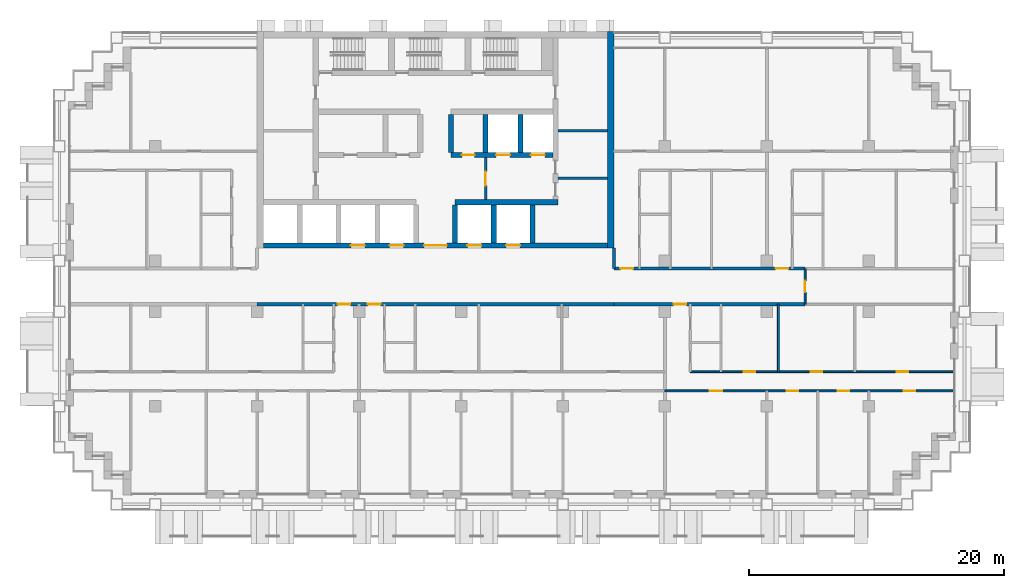
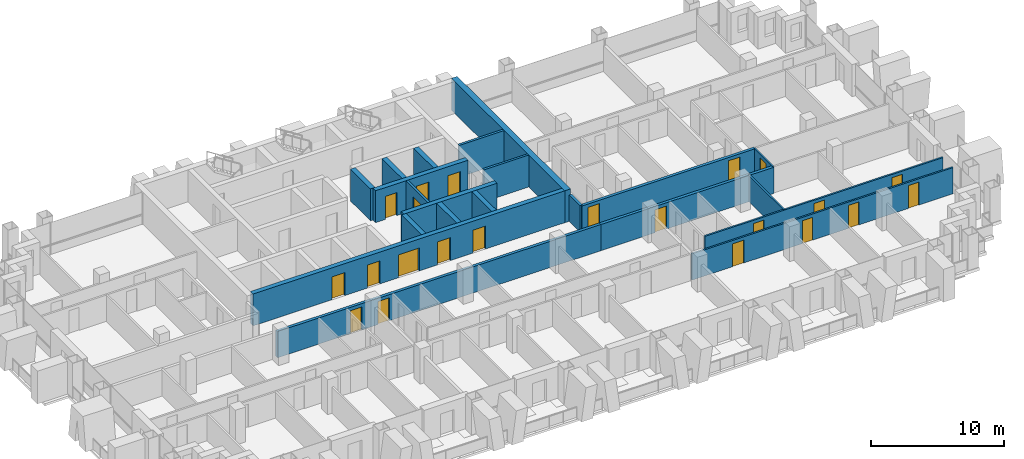
# One storey, part 11 of 19: 22 doors, 21 walls, 22 openings.
"""IFC4 building model written with IfcOpenShell, lengths in metres."""

from ifc_helpers import new_model, si_unit, direction, frame, frame_2d, origin, place, context, subcontext, project, spatial, rectangle, extrude, material, layer, layer_set, type_object, element, fill, save


model = new_model("IFC4")

# Units and contexts
model_context = context("Model", 3, precision=1e-05, world=origin(), true_north=direction((0.0, 1.0)))
body_context = subcontext(model_context, "Body", "Model", "MODEL_VIEW")
ifc_project = project(units=[si_unit("LENGTHUNIT", "METRE"), si_unit("AREAUNIT", "SQUARE_METRE"), si_unit("VOLUMEUNIT", "CUBIC_METRE"), si_unit("PLANEANGLEUNIT", "RADIAN"), si_unit("MASSUNIT", "GRAM", prefix="KILO")], contexts=[model_context])

# Site, building, storey
site_placement = place(None, origin())
site = spatial("IfcSite", under=ifc_project, at=site_placement, CompositionType="ELEMENT")
building_placement = place(site_placement, origin())
building = spatial("IfcBuilding", under=site, at=building_placement, Name="Vidyagriha Tower", CompositionType="ELEMENT")
storey_placement = place(building_placement, frame((0.0, 0.0, 99.89990234375)))
storey = spatial("IfcBuildingStorey", under=building, at=storey_placement, Name="L26", CompositionType="ELEMENT", Elevation=99.89990234375)

# Wall, openings, doors
ifc_material_1 = material(Name="Concrete C60/75", Category="concrete")
ifc_layer_1 = layer(ifc_material_1, 0.39990234375)
ifc_layer_set_1 = layer_set([ifc_layer_1], Name="Concrete C60/75")
wall_type_1 = type_object("IfcWallType", Name="Core shear wall 400 mm", PredefinedType="SHEAR", material=ifc_layer_set_1)
wall_1_placement = place(storey_placement, frame((-13.5, 3.199951171875, 0.0)))
wall_1 = element("IfcWall", 1, at=wall_1_placement, inside=storey, type_object=wall_type_1, Name="Core front wall", PredefinedType="SHEAR", context=body_context, shape_type="SweptSolid", body=[
    extrude(rectangle(XDim=27.0, YDim=0.39990234375, at=frame_2d((13.5, 0.0))), origin(), (0.0, 0.0, 1.0), 2.920166015625),
])
opening_1_placement = place(wall_1_placement, frame((6.861083984375, 0.0, 0.0)))
opening_1 = element("IfcOpeningElement", 2, at=opening_1_placement, cuts=wall_1, Name="Opening LD26-01", PredefinedType="OPENING", context=body_context, shape_type="SweptSolid", body=[
    extrude(rectangle(XDim=1.10009765625, YDim=2.10009765625, at=frame_2d((0.550048828125, 1.050048828125))), frame((0.0, 0.2099609375, 0.0), z_axis=(0.0, -1.0, 0.0), x_axis=(1.0, 0.0, 0.0)), (0.0, 0.0, 1.0), 0.419921875),
])
opening_2_placement = place(wall_1_placement, frame((9.905517578125, 0.0, 0.0)))
opening_2 = element("IfcOpeningElement", 3, at=opening_2_placement, cuts=wall_1, Name="Opening LD26-02", PredefinedType="OPENING", context=body_context, shape_type="SweptSolid", body=[
    extrude(rectangle(XDim=1.10009765625, YDim=2.10009765625, at=frame_2d((0.550048828125, 1.050048828125))), frame((0.0, 0.2099609375, 0.0), z_axis=(0.0, -1.0, 0.0), x_axis=(1.0, 0.0, 0.0)), (0.0, 0.0, 1.0), 0.419921875),
])
opening_3_placement = place(wall_1_placement, frame((15.994384765625, 0.0, 0.0)))
opening_3 = element("IfcOpeningElement", 4, at=opening_3_placement, cuts=wall_1, Name="Opening LD26-03", PredefinedType="OPENING", context=body_context, shape_type="SweptSolid", body=[
    extrude(rectangle(XDim=1.10009765625, YDim=2.10009765625, at=frame_2d((0.550048828125, 1.050048828125))), frame((0.0, 0.2099609375, 0.0), z_axis=(0.0, -1.0, 0.0), x_axis=(1.0, 0.0, 0.0)), (0.0, 0.0, 1.0), 0.419921875),
])
opening_4_placement = place(wall_1_placement, frame((19.038818359375, 0.0, 0.0)))
opening_4 = element("IfcOpeningElement", 5, at=opening_4_placement, cuts=wall_1, Name="Opening LD26-04", PredefinedType="OPENING", context=body_context, shape_type="SweptSolid", body=[
    extrude(rectangle(XDim=1.10009765625, YDim=2.10009765625, at=frame_2d((0.550048828125, 1.050048828125))), frame((0.0, 0.2099609375, 0.0), z_axis=(0.0, -1.0, 0.0), x_axis=(1.0, 0.0, 0.0)), (0.0, 0.0, 1.0), 0.419921875),
])
opening_5_placement = place(wall_1_placement, frame((12.60009765625, 0.0, 0.0)))
opening_5 = element("IfcOpeningElement", 6, at=opening_5_placement, cuts=wall_1, Name="Opening D26-01", PredefinedType="OPENING", context=body_context, shape_type="SweptSolid", body=[
    extrude(rectangle(XDim=1.800048828125, YDim=2.10009765625, at=frame_2d((0.89990234375, 1.050048828125))), frame((0.0, 0.2099609375, 0.0), z_axis=(0.0, -1.0, 0.0), x_axis=(1.0, 0.0, 0.0)), (0.0, 0.0, 1.0), 0.419921875),
])
ifc_material_2 = material(Name="Hollow metal door leaf")
door_type_1 = type_object("IfcDoorType", Name="Core lobby double door 1800 x 2100 mm EI 60", OperationType="NOTDEFINED", PredefinedType="DOOR", material=ifc_material_2)
door_1_placement = place(opening_5_placement, frame((1.800048828125, 0.0, 0.0), z_axis=(0.0, 0.0, 1.0), x_axis=(-1.0, 0.0, 0.0)))
door_1 = element("IfcDoor", 7, at=door_1_placement, inside=storey, type_object=door_type_1, Name="Core entrance door L26", OperationType="DOUBLE_DOOR_SINGLE_SWING", OverallHeight=2.10009765625, OverallWidth=1.800048828125, PredefinedType="DOOR", context=body_context, shape_type="SweptSolid", body=[
    extrude(rectangle(XDim=1.800048828125, YDim=2.10009765625, at=frame_2d((0.89990234375, 1.050048828125))), frame((0.0, 0.02490234375, 0.0), z_axis=(0.0, -1.0, 0.0), x_axis=(1.0, 0.0, 0.0)), (0.0, 0.0, 1.0), 0.050048828125),
])
fill(opening_5, door_1)
ifc_material_3 = material(Name="Stainless steel sliding door panel", Category="steel")
door_type_2 = type_object("IfcDoorType", Name="Lift landing door 1100 x 2100 mm EI 90", OperationType="NOTDEFINED", PredefinedType="DOOR", material=ifc_material_3)
door_2_placement = place(opening_1_placement, origin())
door_2 = element("IfcDoor", 8, at=door_2_placement, inside=storey, type_object=door_type_2, Name="Landing door LR1 L26", OperationType="SLIDING_TO_LEFT", OverallHeight=2.10009765625, OverallWidth=1.10009765625, PredefinedType="DOOR", context=body_context, shape_type="SweptSolid", body=[
    extrude(rectangle(XDim=1.10009765625, YDim=2.10009765625, at=frame_2d((0.550048828125, 1.050048828125))), frame((0.0, 0.02490234375, 0.0), z_axis=(0.0, -1.0, 0.0), x_axis=(1.0, 0.0, 0.0)), (0.0, 0.0, 1.0), 0.050048828125),
])
fill(opening_1, door_2)
door_3_placement = place(opening_2_placement, origin())
door_3 = element("IfcDoor", 9, at=door_3_placement, inside=storey, type_object=door_type_2, Name="Landing door LR2 L26", OperationType="SLIDING_TO_LEFT", OverallHeight=2.10009765625, OverallWidth=1.10009765625, PredefinedType="DOOR", context=body_context, shape_type="SweptSolid", body=[
    extrude(rectangle(XDim=1.10009765625, YDim=2.10009765625, at=frame_2d((0.550048828125, 1.050048828125))), frame((0.0, 0.02490234375, 0.0), z_axis=(0.0, -1.0, 0.0), x_axis=(1.0, 0.0, 0.0)), (0.0, 0.0, 1.0), 0.050048828125),
])
fill(opening_2, door_3)
door_4_placement = place(opening_3_placement, origin())
door_4 = element("IfcDoor", 10, at=door_4_placement, inside=storey, type_object=door_type_2, Name="Landing door LR3 L26", OperationType="SLIDING_TO_LEFT", OverallHeight=2.10009765625, OverallWidth=1.10009765625, PredefinedType="DOOR", context=body_context, shape_type="SweptSolid", body=[
    extrude(rectangle(XDim=1.10009765625, YDim=2.10009765625, at=frame_2d((0.550048828125, 1.050048828125))), frame((0.0, 0.02490234375, 0.0), z_axis=(0.0, -1.0, 0.0), x_axis=(1.0, 0.0, 0.0)), (0.0, 0.0, 1.0), 0.050048828125),
])
fill(opening_3, door_4)
door_5_placement = place(opening_4_placement, origin())
door_5 = element("IfcDoor", 11, at=door_5_placement, inside=storey, type_object=door_type_2, Name="Landing door LR4 L26", OperationType="SLIDING_TO_LEFT", OverallHeight=2.10009765625, OverallWidth=1.10009765625, PredefinedType="DOOR", context=body_context, shape_type="SweptSolid", body=[
    extrude(rectangle(XDim=1.10009765625, YDim=2.10009765625, at=frame_2d((0.550048828125, 1.050048828125))), frame((0.0, 0.02490234375, 0.0), z_axis=(0.0, -1.0, 0.0), x_axis=(1.0, 0.0, 0.0)), (0.0, 0.0, 1.0), 0.050048828125),
])
fill(opening_4, door_5)

# Walls
wall_2_placement = place(storey_placement, frame((1.522216796875, 6.60009765625, 0.0)))
element("IfcWall", 12, at=wall_2_placement, inside=storey, type_object=wall_type_1, Name="Core lobby south wall east", PredefinedType="SHEAR", context=body_context, shape_type="SweptSolid", body=[
    extrude(rectangle(XDim=8.077880859375, YDim=0.39990234375, at=frame_2d((4.0390625, 0.0))), origin(), (0.0, 0.0, 1.0), 2.920166015625),
])
for number, where, z_axis, x_axis, name in (
    (13, (1.522216796875, 3.39990234375, 0.0), (0.0, 0.0, 1.0), (0.0, 1.0, 0.0), "Core bay wall S5"),
    (14, (4.566650390625, 3.39990234375, 0.0), (0.0, 0.0, 1.0), (0.0, 1.0, 0.0), "Core bay wall S6"),
    (15, (7.611083984375, 3.39990234375, 0.0), (0.0, 0.0, 1.0), (0.0, 1.0, 0.0), "Core bay wall S7"),
):
    element("IfcWall", number, at=place(storey_placement, frame(where, z_axis=z_axis, x_axis=x_axis)), inside=storey, type_object=wall_type_1, Name=name, PredefinedType="SHEAR", context=body_context, shape_type="SweptSolid", body=[
        extrude(rectangle(XDim=3.0, YDim=0.39990234375, at=frame_2d((1.5, 0.0))), origin(), (0.0, 0.0, 1.0), 2.920166015625),
    ])

# Wall, openings, doors
wall_3_placement = place(storey_placement, frame((1.199951171875, 10.300048828125, 0.0)))
wall_3 = element("IfcWall", 16, at=wall_3_placement, inside=storey, type_object=wall_type_1, Name="Core row N front wall", PredefinedType="SHEAR", context=body_context, shape_type="SweptSolid", body=[
    extrude(rectangle(XDim=8.0, YDim=0.39990234375, at=frame_2d((4.0, 0.0))), origin(), (0.0, 0.0, 1.0), 2.920166015625),
])
opening_6_placement = place(wall_3_placement, frame((3.550048828125, 0.0, 0.0)))
opening_6 = element("IfcOpeningElement", 17, at=opening_6_placement, cuts=wall_3, Name="Opening LD26-05", PredefinedType="OPENING", context=body_context, shape_type="SweptSolid", body=[
    extrude(rectangle(XDim=1.10009765625, YDim=2.10009765625, at=frame_2d((0.550048828125, 1.050048828125))), frame((0.0, 0.2099609375, 0.0), z_axis=(0.0, -1.0, 0.0), x_axis=(1.0, 0.0, 0.0)), (0.0, 0.0, 1.0), 0.419921875),
])
opening_7_placement = place(wall_3_placement, frame((6.283203125, 0.0, 0.0)))
opening_7 = element("IfcOpeningElement", 18, at=opening_7_placement, cuts=wall_3, Name="Opening LD26-06", PredefinedType="OPENING", context=body_context, shape_type="SweptSolid", body=[
    extrude(rectangle(XDim=1.10009765625, YDim=2.10009765625, at=frame_2d((0.550048828125, 1.050048828125))), frame((0.0, 0.2099609375, 0.0), z_axis=(0.0, -1.0, 0.0), x_axis=(1.0, 0.0, 0.0)), (0.0, 0.0, 1.0), 0.419921875),
])
opening_8_placement = place(wall_3_placement, frame((0.86669921875, 0.0, 0.0)))
opening_8 = element("IfcOpeningElement", 19, at=opening_8_placement, cuts=wall_3, Name="Opening D26-04", PredefinedType="OPENING", context=body_context, shape_type="SweptSolid", body=[
    extrude(rectangle(XDim=1.0, YDim=2.10009765625, at=frame_2d((0.5, 1.050048828125))), frame((0.0, 0.2099609375, 0.0), z_axis=(0.0, -1.0, 0.0), x_axis=(1.0, 0.0, 0.0)), (0.0, 0.0, 1.0), 0.419921875),
])
ifc_material_4 = material(Name="Hollow metal door leaf")
door_type_3 = type_object("IfcDoorType", Name="Core room door 1000 x 2100 mm EI 60", OperationType="NOTDEFINED", PredefinedType="DOOR", material=ifc_material_4)
door_6_placement = place(opening_8_placement, frame((1.0, 0.0, 0.0), z_axis=(0.0, 0.0, 1.0), x_axis=(-1.0, 0.0, 0.0)))
door_6 = element("IfcDoor", 20, at=door_6_placement, inside=storey, type_object=door_type_3, Name="Door Cleaners Store 26.16", OperationType="SINGLE_SWING_LEFT", OverallHeight=2.10009765625, OverallWidth=1.0, PredefinedType="DOOR", context=body_context, shape_type="SweptSolid", body=[
    extrude(rectangle(XDim=1.0, YDim=2.10009765625, at=frame_2d((0.5, 1.050048828125))), frame((0.0, 0.02490234375, 0.0), z_axis=(0.0, -1.0, 0.0), x_axis=(1.0, 0.0, 0.0)), (0.0, 0.0, 1.0), 0.050048828125),
])
fill(opening_8, door_6)
door_7_placement = place(opening_6_placement, origin())
door_7 = element("IfcDoor", 21, at=door_7_placement, inside=storey, type_object=door_type_2, Name="Landing door FF1 L26", OperationType="SLIDING_TO_LEFT", OverallHeight=2.10009765625, OverallWidth=1.10009765625, PredefinedType="DOOR", context=body_context, shape_type="SweptSolid", body=[
    extrude(rectangle(XDim=1.10009765625, YDim=2.10009765625, at=frame_2d((0.550048828125, 1.050048828125))), frame((0.0, 0.02490234375, 0.0), z_axis=(0.0, -1.0, 0.0), x_axis=(1.0, 0.0, 0.0)), (0.0, 0.0, 1.0), 0.050048828125),
])
fill(opening_6, door_7)
door_8_placement = place(opening_7_placement, origin())
door_8 = element("IfcDoor", 22, at=door_8_placement, inside=storey, type_object=door_type_2, Name="Landing door FF2 L26", OperationType="SLIDING_TO_LEFT", OverallHeight=2.10009765625, OverallWidth=1.10009765625, PredefinedType="DOOR", context=body_context, shape_type="SweptSolid", body=[
    extrude(rectangle(XDim=1.10009765625, YDim=2.10009765625, at=frame_2d((0.550048828125, 1.050048828125))), frame((0.0, 0.02490234375, 0.0), z_axis=(0.0, -1.0, 0.0), x_axis=(1.0, 0.0, 0.0)), (0.0, 0.0, 1.0), 0.050048828125),
])
fill(opening_7, door_8)

# Walls
for number, where, z_axis, x_axis, name in (
    (23, (1.199951171875, 10.5, 0.0), (0.0, 0.0, 1.0), (0.0, 1.0, 0.0), "Core bay wall N4"),
    (24, (3.933349609375, 10.5, 0.0), (0.0, 0.0, 1.0), (0.0, 1.0, 0.0), "Core bay wall N5"),
    (25, (6.666748046875, 10.5, 0.0), (0.0, 0.0, 1.0), (0.0, 1.0, 0.0), "Core bay wall N6"),
):
    element("IfcWall", number, at=place(storey_placement, frame(where, z_axis=z_axis, x_axis=x_axis)), inside=storey, type_object=wall_type_1, Name=name, PredefinedType="SHEAR", context=body_context, shape_type="SweptSolid", body=[
        extrude(rectangle(XDim=3.0, YDim=0.39990234375, at=frame_2d((1.5, 0.0))), origin(), (0.0, 0.0, 1.0), 2.920166015625),
    ])
ifc_material_5 = material(Name="Concrete C60/75", Category="concrete")
ifc_layer_2 = layer(ifc_material_5, 0.5)
ifc_layer_set_2 = layer_set([ifc_layer_2], Name="Concrete C60/75")
wall_type_2 = type_object("IfcWallType", Name="Core shear wall 500 mm", PredefinedType="SHEAR", material=ifc_layer_set_2)
wall_4_placement = place(storey_placement, frame((13.75, 3.0, 0.0), z_axis=(0.0, 0.0, 1.0), x_axis=(0.0, 1.0, 0.0)))
element("IfcWall", 26, at=wall_4_placement, inside=storey, type_object=wall_type_2, Name="Core east wall", PredefinedType="SHEAR", context=body_context, shape_type="SweptSolid", body=[
    extrude(rectangle(XDim=17.0, YDim=0.5, at=frame_2d((8.5, 0.0))), origin(), (0.0, 0.0, 1.0), 2.920166015625),
])

# Wall, opening, door
ifc_material_6 = material(Name="Fired clay brick masonry", Category="masonry")
ifc_layer_3 = layer(ifc_material_6, 0.25)
ifc_layer_set_3 = layer_set([ifc_layer_3], Name="Fired clay brick masonry")
wall_type_3 = type_object("IfcWallType", Name="Fired clay brick corridor wall 250", PredefinedType="PARTITIONING", material=ifc_layer_set_3)
wall_5_placement = place(storey_placement, frame((29.0, -1.39990234375, 0.0), z_axis=(0.0, 0.0, 1.0), x_axis=(-1.0, 0.0, 0.0)))
wall_5 = element("IfcWall", 27, at=wall_5_placement, inside=storey, type_object=wall_type_3, Name="Wall all-L26-w068", PredefinedType="PARTITIONING", context=body_context, shape_type="SweptSolid", body=[
    extrude(rectangle(XDim=15.0, YDim=0.25, at=frame_2d((7.5, 0.0))), origin(), (0.0, 0.0, 1.0), 2.400146484375),
])
opening_9_placement = place(wall_5_placement, frame((9.31103515625, 0.0, 0.0)))
opening_9 = element("IfcOpeningElement", 28, at=opening_9_placement, cuts=wall_5, Name="Opening D26-45", PredefinedType="OPENING", context=body_context, shape_type="SweptSolid", body=[
    extrude(rectangle(XDim=1.0, YDim=2.10009765625, at=frame_2d((0.5, 1.050048828125))), frame((0.0, 0.135009765625, 0.0), z_axis=(0.0, -1.0, 0.0), x_axis=(1.0, 0.0, 0.0)), (0.0, 0.0, 1.0), 0.27001953125),
])
ifc_material_7 = material(Name="Fire-rated timber door leaf EI 60", Category="wood")
door_type_4 = type_object("IfcDoorType", Name="Flat entrance fire door 1000x2100", OperationType="NOTDEFINED", PredefinedType="DOOR", material=ifc_material_7)
door_9_placement = place(opening_9_placement, origin())
door_9 = element("IfcDoor", 29, at=door_9_placement, inside=storey, type_object=door_type_4, Name="Door D26-45", OperationType="SINGLE_SWING_RIGHT", OverallHeight=2.10009765625, OverallWidth=1.0, PredefinedType="DOOR", context=body_context, shape_type="SweptSolid", body=[
    extrude(rectangle(XDim=1.0, YDim=2.10009765625, at=frame_2d((0.5, 1.050048828125))), frame((0.0, 0.02490234375, 0.0), z_axis=(0.0, -1.0, 0.0), x_axis=(1.0, 0.0, 0.0)), (0.0, 0.0, 1.0), 0.050048828125),
])
fill(opening_9, door_9)

# Wall, openings, doors
wall_6_placement = place(storey_placement, frame((14.0, 1.39990234375, 0.0)))
wall_6 = element("IfcWall", 30, at=wall_6_placement, inside=storey, type_object=wall_type_3, Name="Wall all-L26-w114", PredefinedType="PARTITIONING", context=body_context, shape_type="SweptSolid", body=[
    extrude(rectangle(XDim=15.0, YDim=0.25, at=frame_2d((7.5, 0.0))), origin(), (0.0, 0.0, 1.0), 2.400146484375),
])
opening_10_placement = place(wall_6_placement, frame((0.5, 0.0, 0.0)))
opening_10 = element("IfcOpeningElement", 31, at=opening_10_placement, cuts=wall_6, Name="Opening D26-59", PredefinedType="OPENING", context=body_context, shape_type="SweptSolid", body=[
    extrude(rectangle(XDim=1.0, YDim=2.10009765625, at=frame_2d((0.5, 1.050048828125))), frame((0.0, 0.135009765625, 0.0), z_axis=(0.0, -1.0, 0.0), x_axis=(1.0, 0.0, 0.0)), (0.0, 0.0, 1.0), 0.27001953125),
])
opening_11_placement = place(wall_6_placement, frame((12.68896484375, 0.0, 0.0)))
opening_11 = element("IfcOpeningElement", 32, at=opening_11_placement, cuts=wall_6, Name="Opening D26-66", PredefinedType="OPENING", context=body_context, shape_type="SweptSolid", body=[
    extrude(rectangle(XDim=1.0, YDim=2.10009765625, at=frame_2d((0.5, 1.050048828125))), frame((0.0, 0.135009765625, 0.0), z_axis=(0.0, -1.0, 0.0), x_axis=(1.0, 0.0, 0.0)), (0.0, 0.0, 1.0), 0.27001953125),
])
door_10_placement = place(opening_10_placement, origin())
door_10 = element("IfcDoor", 33, at=door_10_placement, inside=storey, type_object=door_type_4, Name="Door D26-59", OperationType="SINGLE_SWING_LEFT", OverallHeight=2.10009765625, OverallWidth=1.0, PredefinedType="DOOR", context=body_context, shape_type="SweptSolid", body=[
    extrude(rectangle(XDim=1.0, YDim=2.10009765625, at=frame_2d((0.5, 1.050048828125))), frame((0.0, 0.02490234375, 0.0), z_axis=(0.0, -1.0, 0.0), x_axis=(1.0, 0.0, 0.0)), (0.0, 0.0, 1.0), 0.050048828125),
])
fill(opening_10, door_10)
door_11_placement = place(opening_11_placement, origin())
door_11 = element("IfcDoor", 34, at=door_11_placement, inside=storey, type_object=door_type_4, Name="Door D26-66", OperationType="SINGLE_SWING_LEFT", OverallHeight=2.10009765625, OverallWidth=1.0, PredefinedType="DOOR", context=body_context, shape_type="SweptSolid", body=[
    extrude(rectangle(XDim=1.0, YDim=2.10009765625, at=frame_2d((0.5, 1.050048828125))), frame((0.0, 0.02490234375, 0.0), z_axis=(0.0, -1.0, 0.0), x_axis=(1.0, 0.0, 0.0)), (0.0, 0.0, 1.0), 0.050048828125),
])
fill(opening_11, door_11)

wall_7_placement = place(storey_placement, frame((14.0, -1.39990234375, 0.0), z_axis=(0.0, 0.0, 1.0), x_axis=(-1.0, 0.0, 0.0)))
wall_7 = element("IfcWall", 35, at=wall_7_placement, inside=storey, type_object=wall_type_3, Name="Wall all-L26-w118", PredefinedType="PARTITIONING", context=body_context, shape_type="SweptSolid", body=[
    extrude(rectangle(XDim=28.0, YDim=0.25, at=frame_2d((14.0, 0.0))), origin(), (0.0, 0.0, 1.0), 2.400146484375),
])
opening_12_placement = place(wall_7_placement, frame((20.68896484375, 0.0, 0.0)))
opening_12 = element("IfcOpeningElement", 36, at=opening_12_placement, cuts=wall_7, Name="Opening D26-24", PredefinedType="OPENING", context=body_context, shape_type="SweptSolid", body=[
    extrude(rectangle(XDim=1.0, YDim=2.10009765625, at=frame_2d((0.5, 1.050048828125))), frame((0.0, 0.135009765625, 0.0), z_axis=(0.0, -1.0, 0.0), x_axis=(1.0, 0.0, 0.0)), (0.0, 0.0, 1.0), 0.27001953125),
])
opening_13_placement = place(wall_7_placement, frame((18.31103515625, 0.0, 0.0)))
opening_13 = element("IfcOpeningElement", 37, at=opening_13_placement, cuts=wall_7, Name="Opening D26-35", PredefinedType="OPENING", context=body_context, shape_type="SweptSolid", body=[
    extrude(rectangle(XDim=1.0, YDim=2.10009765625, at=frame_2d((0.5, 1.050048828125))), frame((0.0, 0.135009765625, 0.0), z_axis=(0.0, -1.0, 0.0), x_axis=(1.0, 0.0, 0.0)), (0.0, 0.0, 1.0), 0.27001953125),
])
door_12_placement = place(opening_12_placement, origin())
door_12 = element("IfcDoor", 38, at=door_12_placement, inside=storey, type_object=door_type_4, Name="Door D26-24", OperationType="SINGLE_SWING_LEFT", OverallHeight=2.10009765625, OverallWidth=1.0, PredefinedType="DOOR", context=body_context, shape_type="SweptSolid", body=[
    extrude(rectangle(XDim=1.0, YDim=2.10009765625, at=frame_2d((0.5, 1.050048828125))), frame((0.0, 0.02490234375, 0.0), z_axis=(0.0, -1.0, 0.0), x_axis=(1.0, 0.0, 0.0)), (0.0, 0.0, 1.0), 0.050048828125),
])
fill(opening_12, door_12)
door_13_placement = place(opening_13_placement, origin())
door_13 = element("IfcDoor", 39, at=door_13_placement, inside=storey, type_object=door_type_4, Name="Door D26-35", OperationType="SINGLE_SWING_RIGHT", OverallHeight=2.10009765625, OverallWidth=1.0, PredefinedType="DOOR", context=body_context, shape_type="SweptSolid", body=[
    extrude(rectangle(XDim=1.0, YDim=2.10009765625, at=frame_2d((0.5, 1.050048828125))), frame((0.0, 0.02490234375, 0.0), z_axis=(0.0, -1.0, 0.0), x_axis=(1.0, 0.0, 0.0)), (0.0, 0.0, 1.0), 0.050048828125),
])
fill(opening_13, door_13)

# Walls
wall_8_placement = place(storey_placement, frame((14.0, 1.39990234375, 0.0), z_axis=(0.0, 0.0, 1.0), x_axis=(0.0, 1.0, 0.0)))
element("IfcWall", 40, at=wall_8_placement, inside=storey, type_object=wall_type_3, Name="Wall all-L26-w120", PredefinedType="PARTITIONING", context=body_context, shape_type="SweptSolid", body=[
    extrude(rectangle(XDim=1.60009765625, YDim=0.25, at=frame_2d((0.800048828125, 0.0))), origin(), (0.0, 0.0, 1.0), 2.400146484375),
])
ifc_material_8 = material(Name="Gypsum board partition")
ifc_layer_4 = layer(ifc_material_8, 0.14990234375)
ifc_layer_set_4 = layer_set([ifc_layer_4], Name="Gypsum board partition")
wall_type_4 = type_object("IfcWallType", Name="Gypsum board partition 150", PredefinedType="PARTITIONING", material=ifc_layer_set_4)
wall_9_placement = place(storey_placement, frame((26.89990234375, -1.39990234375, 0.0), z_axis=(0.0, 0.0, 1.0), x_axis=(0.0, -1.0, 0.0)))
element("IfcWall", 41, at=wall_9_placement, inside=storey, type_object=wall_type_4, Name="Wall all-L26-w051", PredefinedType="PARTITIONING", context=body_context, shape_type="SweptSolid", body=[
    extrude(rectangle(XDim=5.300048828125, YDim=0.14990234375, at=frame_2d((2.64990234375, 0.0))), origin(), (0.0, 0.0, 1.0), 2.400146484375),
])

# Wall, openings, doors
wall_10_placement = place(storey_placement, frame((20.0, -6.699951171875, 0.0)))
wall_10 = element("IfcWall", 42, at=wall_10_placement, inside=storey, type_object=wall_type_4, Name="Wall all-L26-w053", PredefinedType="PARTITIONING", context=body_context, shape_type="SweptSolid", body=[
    extrude(rectangle(XDim=20.6201171875, YDim=0.14990234375, at=frame_2d((10.31005859375, 0.0))), origin(), (0.0, 0.0, 1.0), 2.400146484375),
])
opening_14_placement = place(wall_10_placement, frame((4.199951171875, 0.0, 0.0)))
opening_14 = element("IfcOpeningElement", 43, at=opening_14_placement, cuts=wall_10, Name="Opening D26-38", PredefinedType="OPENING", context=body_context, shape_type="SweptSolid", body=[
    extrude(rectangle(XDim=0.89990234375, YDim=2.10009765625, at=frame_2d((0.449951171875, 1.050048828125))), frame((0.0, 0.0849609375, 0.0), z_axis=(0.0, -1.0, 0.0), x_axis=(1.0, 0.0, 0.0)), (0.0, 0.0, 1.0), 0.169921875),
])
opening_15_placement = place(wall_10_placement, frame((9.449951171875, 0.0, 0.0)))
opening_15 = element("IfcOpeningElement", 44, at=opening_15_placement, cuts=wall_10, Name="Opening D26-39", PredefinedType="OPENING", context=body_context, shape_type="SweptSolid", body=[
    extrude(rectangle(XDim=0.89990234375, YDim=2.10009765625, at=frame_2d((0.449951171875, 1.050048828125))), frame((0.0, 0.0849609375, 0.0), z_axis=(0.0, -1.0, 0.0), x_axis=(1.0, 0.0, 0.0)), (0.0, 0.0, 1.0), 0.169921875),
])
opening_16_placement = place(wall_10_placement, frame((16.199951171875, 0.0, 0.0)))
opening_16 = element("IfcOpeningElement", 45, at=opening_16_placement, cuts=wall_10, Name="Opening D26-40", PredefinedType="OPENING", context=body_context, shape_type="SweptSolid", body=[
    extrude(rectangle(XDim=0.89990234375, YDim=2.10009765625, at=frame_2d((0.449951171875, 1.050048828125))), frame((0.0, 0.0849609375, 0.0), z_axis=(0.0, -1.0, 0.0), x_axis=(1.0, 0.0, 0.0)), (0.0, 0.0, 1.0), 0.169921875),
])
ifc_material_9 = material(Name="Timber door leaf", Category="wood")
door_type_5 = type_object("IfcDoorType", Name="Room door 900x2100", OperationType="NOTDEFINED", PredefinedType="DOOR", material=ifc_material_9)
door_14_placement = place(opening_14_placement, origin())
door_14 = element("IfcDoor", 46, at=door_14_placement, inside=storey, type_object=door_type_5, Name="Door D26-38", OperationType="SINGLE_SWING_RIGHT", OverallHeight=2.10009765625, OverallWidth=0.89990234375, PredefinedType="DOOR", context=body_context, shape_type="SweptSolid", body=[
    extrude(rectangle(XDim=0.89990234375, YDim=2.10009765625, at=frame_2d((0.449951171875, 1.050048828125))), frame((0.0, 0.02490234375, 0.0), z_axis=(0.0, -1.0, 0.0), x_axis=(1.0, 0.0, 0.0)), (0.0, 0.0, 1.0), 0.050048828125),
])
fill(opening_14, door_14)
door_15_placement = place(opening_15_placement, origin())
door_15 = element("IfcDoor", 47, at=door_15_placement, inside=storey, type_object=door_type_5, Name="Door D26-39", OperationType="SINGLE_SWING_RIGHT", OverallHeight=2.10009765625, OverallWidth=0.89990234375, PredefinedType="DOOR", context=body_context, shape_type="SweptSolid", body=[
    extrude(rectangle(XDim=0.89990234375, YDim=2.10009765625, at=frame_2d((0.449951171875, 1.050048828125))), frame((0.0, 0.02490234375, 0.0), z_axis=(0.0, -1.0, 0.0), x_axis=(1.0, 0.0, 0.0)), (0.0, 0.0, 1.0), 0.050048828125),
])
fill(opening_15, door_15)
door_16_placement = place(opening_16_placement, origin())
door_16 = element("IfcDoor", 48, at=door_16_placement, inside=storey, type_object=door_type_5, Name="Door D26-40", OperationType="SINGLE_SWING_RIGHT", OverallHeight=2.10009765625, OverallWidth=0.89990234375, PredefinedType="DOOR", context=body_context, shape_type="SweptSolid", body=[
    extrude(rectangle(XDim=0.89990234375, YDim=2.10009765625, at=frame_2d((0.449951171875, 1.050048828125))), frame((0.0, 0.02490234375, 0.0), z_axis=(0.0, -1.0, 0.0), x_axis=(1.0, 0.0, 0.0)), (0.0, 0.0, 1.0), 0.050048828125),
])
fill(opening_16, door_16)

wall_11_placement = place(storey_placement, frame((40.6201171875, -8.199951171875, 0.0), z_axis=(0.0, 0.0, 1.0), x_axis=(-1.0, 0.0, 0.0)))
wall_11 = element("IfcWall", 49, at=wall_11_placement, inside=storey, type_object=wall_type_4, Name="Wall all-L26-w057", PredefinedType="PARTITIONING", context=body_context, shape_type="SweptSolid", body=[
    extrude(rectangle(XDim=22.6201171875, YDim=0.14990234375, at=frame_2d((11.31005859375, 0.0))), origin(), (0.0, 0.0, 1.0), 2.400146484375),
])
opening_17_placement = place(wall_11_placement, frame((18.1201171875, 0.0, 0.0)))
opening_17 = element("IfcOpeningElement", 50, at=opening_17_placement, cuts=wall_11, Name="Opening D26-41", PredefinedType="OPENING", context=body_context, shape_type="SweptSolid", body=[
    extrude(rectangle(XDim=1.0, YDim=2.10009765625, at=frame_2d((0.5, 1.050048828125))), frame((0.0, 0.0849609375, 0.0), z_axis=(0.0, -1.0, 0.0), x_axis=(1.0, 0.0, 0.0)), (0.0, 0.0, 1.0), 0.169921875),
])
opening_18_placement = place(wall_11_placement, frame((12.169921875, 0.0, 0.0)))
opening_18 = element("IfcOpeningElement", 51, at=opening_18_placement, cuts=wall_11, Name="Opening D26-42", PredefinedType="OPENING", context=body_context, shape_type="SweptSolid", body=[
    extrude(rectangle(XDim=0.89990234375, YDim=2.10009765625, at=frame_2d((0.449951171875, 1.050048828125))), frame((0.0, 0.0849609375, 0.0), z_axis=(0.0, -1.0, 0.0), x_axis=(1.0, 0.0, 0.0)), (0.0, 0.0, 1.0), 0.169921875),
])
opening_19_placement = place(wall_11_placement, frame((8.169921875, 0.0, 0.0)))
opening_19 = element("IfcOpeningElement", 52, at=opening_19_placement, cuts=wall_11, Name="Opening D26-43", PredefinedType="OPENING", context=body_context, shape_type="SweptSolid", body=[
    extrude(rectangle(XDim=0.89990234375, YDim=2.10009765625, at=frame_2d((0.449951171875, 1.050048828125))), frame((0.0, 0.0849609375, 0.0), z_axis=(0.0, -1.0, 0.0), x_axis=(1.0, 0.0, 0.0)), (0.0, 0.0, 1.0), 0.169921875),
])
opening_20_placement = place(wall_11_placement, frame((2.969970703125, 0.0, 0.0)))
opening_20 = element("IfcOpeningElement", 53, at=opening_20_placement, cuts=wall_11, Name="Opening D26-44", PredefinedType="OPENING", context=body_context, shape_type="SweptSolid", body=[
    extrude(rectangle(XDim=0.89990234375, YDim=2.10009765625, at=frame_2d((0.449951171875, 1.050048828125))), frame((0.0, 0.0849609375, 0.0), z_axis=(0.0, -1.0, 0.0), x_axis=(1.0, 0.0, 0.0)), (0.0, 0.0, 1.0), 0.169921875),
])
ifc_material_10 = material(Name="Timber door leaf", Category="wood")
door_type_6 = type_object("IfcDoorType", Name="Room door 1000x2100", OperationType="NOTDEFINED", PredefinedType="DOOR", material=ifc_material_10)
door_17_placement = place(opening_17_placement, origin())
door_17 = element("IfcDoor", 54, at=door_17_placement, inside=storey, type_object=door_type_6, Name="Door D26-41", OperationType="SINGLE_SWING_RIGHT", OverallHeight=2.10009765625, OverallWidth=1.0, PredefinedType="DOOR", context=body_context, shape_type="SweptSolid", body=[
    extrude(rectangle(XDim=1.0, YDim=2.10009765625, at=frame_2d((0.5, 1.050048828125))), frame((0.0, 0.02490234375, 0.0), z_axis=(0.0, -1.0, 0.0), x_axis=(1.0, 0.0, 0.0)), (0.0, 0.0, 1.0), 0.050048828125),
])
fill(opening_17, door_17)
door_18_placement = place(opening_18_placement, origin())
door_18 = element("IfcDoor", 55, at=door_18_placement, inside=storey, type_object=door_type_5, Name="Door D26-42", OperationType="SINGLE_SWING_RIGHT", OverallHeight=2.10009765625, OverallWidth=0.89990234375, PredefinedType="DOOR", context=body_context, shape_type="SweptSolid", body=[
    extrude(rectangle(XDim=0.89990234375, YDim=2.10009765625, at=frame_2d((0.449951171875, 1.050048828125))), frame((0.0, 0.02490234375, 0.0), z_axis=(0.0, -1.0, 0.0), x_axis=(1.0, 0.0, 0.0)), (0.0, 0.0, 1.0), 0.050048828125),
])
fill(opening_18, door_18)
door_19_placement = place(opening_19_placement, origin())
door_19 = element("IfcDoor", 56, at=door_19_placement, inside=storey, type_object=door_type_5, Name="Door D26-43", OperationType="SINGLE_SWING_RIGHT", OverallHeight=2.10009765625, OverallWidth=0.89990234375, PredefinedType="DOOR", context=body_context, shape_type="SweptSolid", body=[
    extrude(rectangle(XDim=0.89990234375, YDim=2.10009765625, at=frame_2d((0.449951171875, 1.050048828125))), frame((0.0, 0.02490234375, 0.0), z_axis=(0.0, -1.0, 0.0), x_axis=(1.0, 0.0, 0.0)), (0.0, 0.0, 1.0), 0.050048828125),
])
fill(opening_19, door_19)
door_20_placement = place(opening_20_placement, origin())
door_20 = element("IfcDoor", 57, at=door_20_placement, inside=storey, type_object=door_type_5, Name="Door D26-44", OperationType="SINGLE_SWING_LEFT", OverallHeight=2.10009765625, OverallWidth=0.89990234375, PredefinedType="DOOR", context=body_context, shape_type="SweptSolid", body=[
    extrude(rectangle(XDim=0.89990234375, YDim=2.10009765625, at=frame_2d((0.449951171875, 1.050048828125))), frame((0.0, 0.02490234375, 0.0), z_axis=(0.0, -1.0, 0.0), x_axis=(1.0, 0.0, 0.0)), (0.0, 0.0, 1.0), 0.050048828125),
])
fill(opening_20, door_20)

# Wall, opening, door
wall_12_placement = place(storey_placement, frame((29.0, -1.39990234375, 0.0), z_axis=(0.0, 0.0, 1.0), x_axis=(0.0, 1.0, 0.0)))
wall_12 = element("IfcWall", 58, at=wall_12_placement, inside=storey, type_object=wall_type_4, Name="Wall all-L26-w116", PredefinedType="PARTITIONING", context=body_context, shape_type="SweptSolid", body=[
    extrude(rectangle(XDim=2.7998046875, YDim=0.14990234375, at=frame_2d((1.39990234375, 0.0))), origin(), (0.0, 0.0, 1.0), 2.400146484375),
])
opening_21_placement = place(wall_12_placement, frame((0.949951171875, 0.0, 0.0)))
opening_21 = element("IfcOpeningElement", 59, at=opening_21_placement, cuts=wall_12, Name="Opening D26-67", PredefinedType="OPENING", context=body_context, shape_type="SweptSolid", body=[
    extrude(rectangle(XDim=0.89990234375, YDim=2.10009765625, at=frame_2d((0.449951171875, 1.050048828125))), frame((0.0, 0.0849609375, 0.0), z_axis=(0.0, -1.0, 0.0), x_axis=(1.0, 0.0, 0.0)), (0.0, 0.0, 1.0), 0.169921875),
])
door_21_placement = place(opening_21_placement, origin())
door_21 = element("IfcDoor", 60, at=door_21_placement, inside=storey, type_object=door_type_5, Name="Door D26-67", OperationType="SINGLE_SWING_RIGHT", OverallHeight=2.10009765625, OverallWidth=0.89990234375, PredefinedType="DOOR", context=body_context, shape_type="SweptSolid", body=[
    extrude(rectangle(XDim=0.89990234375, YDim=2.10009765625, at=frame_2d((0.449951171875, 1.050048828125))), frame((0.0, 0.02490234375, 0.0), z_axis=(0.0, -1.0, 0.0), x_axis=(1.0, 0.0, 0.0)), (0.0, 0.0, 1.0), 0.050048828125),
])
fill(opening_21, door_21)

ifc_material_11 = material(Name="Blockwork 15 MPa", Category="masonry")
ifc_layer_5 = layer(ifc_material_11, 0.199951171875)
ifc_layer_set_5 = layer_set([ifc_layer_5], Name="Blockwork 15 MPa")
wall_type_5 = type_object("IfcWallType", Name="Service room partition 200 mm", PredefinedType="PARTITIONING", material=ifc_layer_set_5)
wall_13_placement = place(storey_placement, frame((3.933349609375, 6.800048828125, 0.0), z_axis=(0.0, 0.0, 1.0), x_axis=(0.0, 1.0, 0.0)))
wall_13 = element("IfcWall", 61, at=wall_13_placement, inside=storey, type_object=wall_type_5, Name="Fire-fighting lobby west wall", PredefinedType="PARTITIONING", context=body_context, shape_type="SweptSolid", body=[
    extrude(rectangle(XDim=3.300048828125, YDim=0.199951171875, at=frame_2d((1.64990234375, 0.0))), origin(), (0.0, 0.0, 1.0), 2.920166015625),
])
opening_22_placement = place(wall_13_placement, frame((1.10009765625, 0.0, 0.0)))
opening_22 = element("IfcOpeningElement", 62, at=opening_22_placement, cuts=wall_13, Name="Opening D26-05", PredefinedType="OPENING", context=body_context, shape_type="SweptSolid", body=[
    extrude(rectangle(XDim=1.10009765625, YDim=2.10009765625, at=frame_2d((0.550048828125, 1.050048828125))), frame((0.0, 0.10986328125, 0.0), z_axis=(0.0, -1.0, 0.0), x_axis=(1.0, 0.0, 0.0)), (0.0, 0.0, 1.0), 0.219970703125),
])
ifc_material_12 = material(Name="Hollow metal door leaf")
door_type_7 = type_object("IfcDoorType", Name="Fire-fighting lobby door 1100 x 2100 mm EI 90", OperationType="NOTDEFINED", PredefinedType="DOOR", material=ifc_material_12)
door_22_placement = place(opening_22_placement, origin())
door_22 = element("IfcDoor", 63, at=door_22_placement, inside=storey, type_object=door_type_7, Name="Fire-fighting lobby door L26", OperationType="SINGLE_SWING_RIGHT", OverallHeight=2.10009765625, OverallWidth=1.10009765625, PredefinedType="DOOR", context=body_context, shape_type="SweptSolid", body=[
    extrude(rectangle(XDim=1.10009765625, YDim=2.10009765625, at=frame_2d((0.550048828125, 1.050048828125))), frame((0.0, 0.02490234375, 0.0), z_axis=(0.0, -1.0, 0.0), x_axis=(1.0, 0.0, 0.0)), (0.0, 0.0, 1.0), 0.050048828125),
])
fill(opening_22, door_22)

# Walls
for number, where, name in (
    (64, (9.60009765625, 8.5, 0.0), "Core room partition E1"),
    (65, (9.60009765625, 12.199951171875, 0.0), "Core room partition E2"),
):
    element("IfcWall", number, at=place(storey_placement, frame(where)), inside=storey, type_object=wall_type_5, Name=name, PredefinedType="PARTITIONING", context=body_context, shape_type="SweptSolid", body=[
        extrude(rectangle(XDim=3.89990234375, YDim=0.199951171875, at=frame_2d((1.949951171875, 0.0))), origin(), (0.0, 0.0, 1.0), 2.920166015625),
    ])

save(model, "model.ifc")
